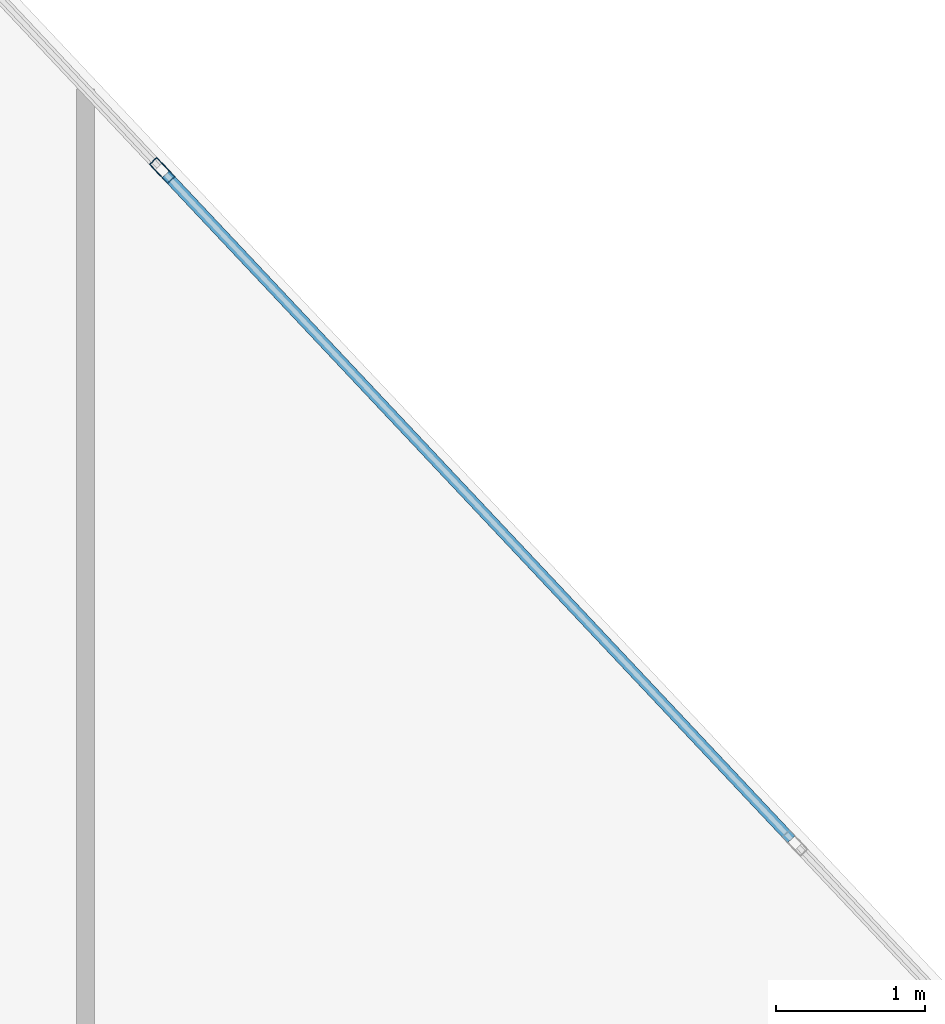
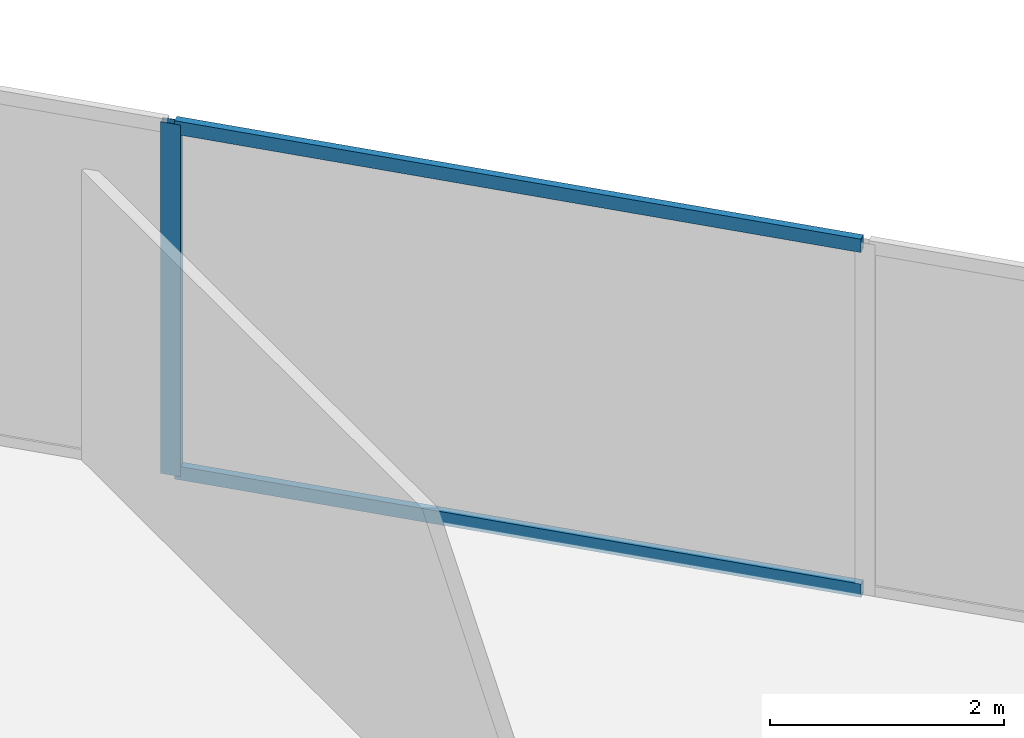
# One storey, part 19 of 24: 3 members, 1 element without a shape of its own.
"""IFC4 building model written with IfcOpenShell, lengths in metres."""

from ifc_helpers import new_model, si_unit, direction, frame, origin, origin_2d, place, context, subcontext, project, spatial, hollow_rectangle, extrude, source, transform, mapped, material, material_profile, profile_set, type_object, type_shapes, element, aggregate, save


model = new_model("IFC4")

# Units and contexts
model_context = context("Model", 3, precision=1e-05, world=origin(), true_north=direction((0.0, 1.0)))
body_context = subcontext(model_context, "Body", "Model", "MODEL_VIEW")
ifc_project = project(units=[si_unit("LENGTHUNIT", "METRE"), si_unit("AREAUNIT", "SQUARE_METRE"), si_unit("VOLUMEUNIT", "CUBIC_METRE"), si_unit("PLANEANGLEUNIT", "RADIAN"), si_unit("MASSUNIT", "GRAM", prefix="KILO")], contexts=[model_context])

# Site, building, storey
site_placement = place(None, origin())
site = spatial("IfcSite", under=ifc_project, at=site_placement, CompositionType="ELEMENT")
building_placement = place(site_placement, origin())
building = spatial("IfcBuilding", under=site, at=building_placement, Name="Krantzveldt Concourse Tower", CompositionType="ELEMENT")
storey_placement = place(building_placement, frame((0.0, 0.0, 242.85009765625)))
storey = spatial("IfcBuildingStorey", under=building, at=storey_placement, Name="L59", CompositionType="ELEMENT", Elevation=242.85009765625)

# Curtain wall, members
ifc_material = material(Name="Anodised aluminium 6063-T6", Category="aluminium")
curtain_wall_type = type_object("IfcCurtainWallType", Name="CW3", PredefinedType="USERDEFINED", material=ifc_material)
curtain_wall_placement = place(storey_placement, origin())
curtain_wall = element("IfcCurtainWall", 1, at=curtain_wall_placement, inside=storey, type_object=curtain_wall_type, Name="CW-L59-F14", ObjectType="UNITISED CURTAIN WALL", PredefinedType="USERDEFINED")
ifc_material_profile_1 = material_profile(ifc_material, hollow_rectangle(XDim=0.070068359375, YDim=0.179931640625, WallThickness=0.0048828125, at=origin_2d()), Name="Anodised aluminium 6063-T6", Category="aluminium")
ifc_profile_set_1 = profile_set([ifc_material_profile_1], Name="Anodised aluminium 6063-T6 - ALU-MULL 180x70x5")
member_type_1 = type_object("IfcMemberType", Name="CW-MUL-180", PredefinedType="MULLION", material=ifc_profile_set_1)
shared_shape_1 = source(origin(), body_context, "Body", "SweptSolid", [
    extrude(hollow_rectangle(XDim=0.070068359375, YDim=0.179931640625, WallThickness=0.0048828125, at=origin_2d()), origin(), (0.0, 0.0, 1.0), 3.669921875),
])
type_shapes(member_type_1, [shared_shape_1])
member_1_placement = place(storey_placement, frame((44.493896484375, 47.45849609375, 0.0), z_axis=(0.0, 0.0, 1.0), x_axis=(-0.728371012348, -0.685182945184, 0.0)))
member_1 = element("IfcMember", 2, at=member_1_placement, type_object=member_type_1, Name="CW-Z34 mullion 5", PredefinedType="MULLION", context=body_context, shape_type="MappedRepresentation", body=[
    mapped(shared_shape_1, transform((0.0, 0.0, 0.0), x_axis=(1.0, 0.0, 0.0), y_axis=(0.0, 1.0, 0.0), z_axis=(0.0, 0.0, 1.0), scale=1.0)),
])
ifc_material_profile_2 = material_profile(ifc_material, hollow_rectangle(XDim=0.070068359375, YDim=0.139892578125, WallThickness=0.0048828125, at=origin_2d()), Name="Anodised aluminium 6063-T6", Category="aluminium")
ifc_profile_set_2 = profile_set([ifc_material_profile_2], Name="Anodised aluminium 6063-T6 - ALU-TRAN 140x70x5")
member_type_2 = type_object("IfcMemberType", Name="CW-TRN-150", PredefinedType="USERDEFINED", material=ifc_profile_set_2)
shared_shape_2 = source(origin(), body_context, "Body", "SweptSolid", [
    extrude(hollow_rectangle(XDim=0.070068359375, YDim=0.139892578125, WallThickness=0.0048828125, at=origin_2d()), origin(), (0.0, 0.0, 1.0), 6.1298828125),
])
type_shapes(member_type_2, [shared_shape_2])
member_2_placement = place(storey_placement, frame((48.718017578125, 42.968017578125, 0.034912109375), z_axis=(-0.685190754255, 0.72836366623, 0.0), x_axis=(-0.72836366623, -0.685190754255, 0.0)))
member_2 = element("IfcMember", 3, at=member_2_placement, type_object=member_type_2, Name="CW-Z34 transom 4.1", ObjectType="TRANSOM", PredefinedType="USERDEFINED", context=body_context, shape_type="MappedRepresentation", body=[
    mapped(shared_shape_2, transform((0.0, 0.0, 0.0), x_axis=(1.0, 0.0, 0.0), y_axis=(0.0, 1.0, 0.0), z_axis=(0.0, 0.0, 1.0), scale=1.0)),
])
member_3_placement = place(storey_placement, frame((48.718017578125, 42.968017578125, 3.635009765625), z_axis=(-0.685190754255, 0.72836366623, 0.0), x_axis=(-0.72836366623, -0.685190754255, 0.0)))
member_3 = element("IfcMember", 4, at=member_3_placement, type_object=member_type_2, Name="CW-Z34 transom 4.2", ObjectType="TRANSOM", PredefinedType="USERDEFINED", context=body_context, shape_type="MappedRepresentation", body=[
    mapped(shared_shape_2, transform((0.0, 0.0, 0.0), x_axis=(1.0, 0.0, 0.0), y_axis=(0.0, 1.0, 0.0), z_axis=(0.0, 0.0, 1.0), scale=1.0)),
])
aggregate(curtain_wall, [member_1, member_2, member_3])

save(model, "model.ifc")
